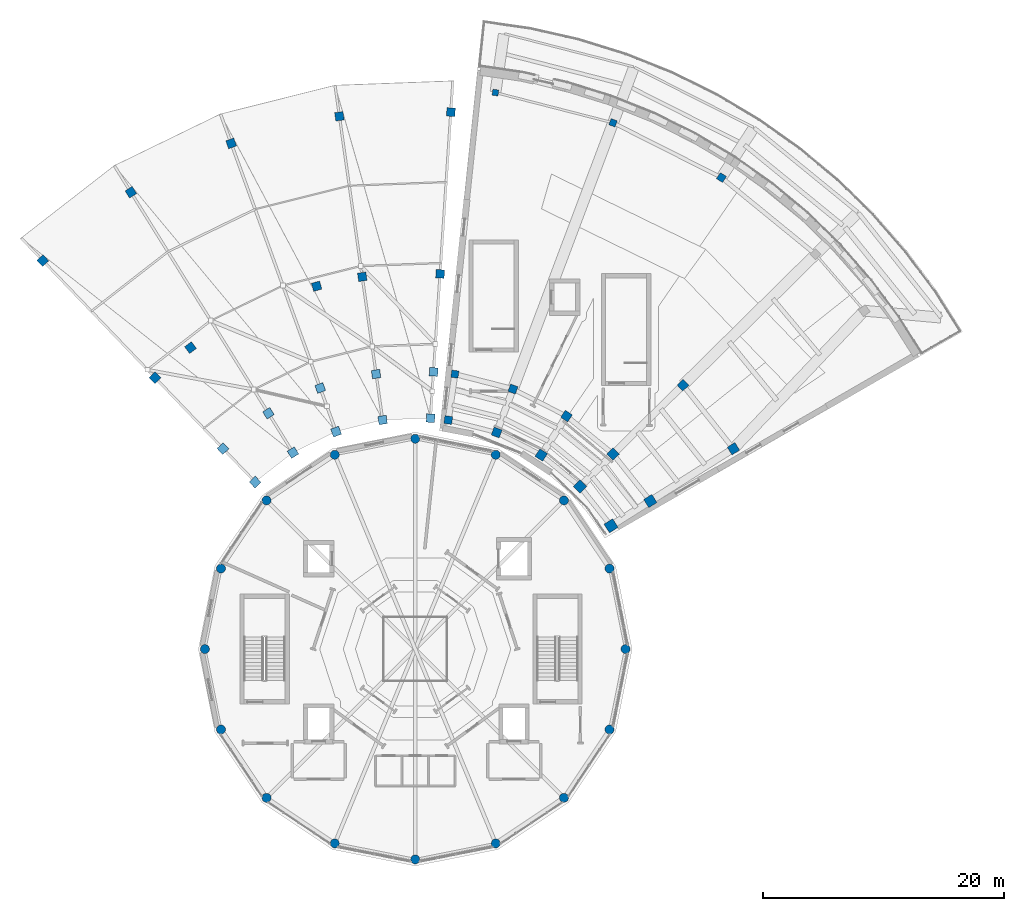
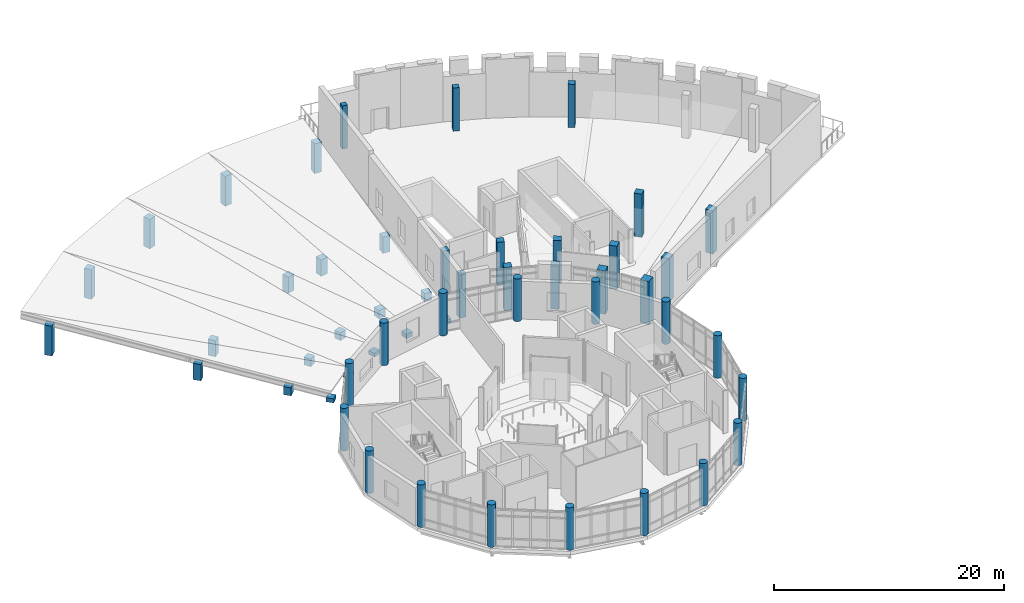
# One storey, part 1 of 27: 51 columns.
"""IFC4 building model written with IfcOpenShell, lengths in metres."""

from ifc_helpers import new_model, si_unit, direction, frame, origin, origin_2d, place, context, subcontext, project, spatial, rectangle, circle, extrude, material, material_profile, profile_set, type_object, element, save


model = new_model("IFC4")

# Units and contexts
model_context = context("Model", 3, precision=1e-05, world=origin(), true_north=direction((0.0, 1.0)))
body_context = subcontext(model_context, "Body", "Model", "MODEL_VIEW")
ifc_project = project(units=[si_unit("LENGTHUNIT", "METRE"), si_unit("AREAUNIT", "SQUARE_METRE"), si_unit("VOLUMEUNIT", "CUBIC_METRE"), si_unit("PLANEANGLEUNIT", "RADIAN"), si_unit("MASSUNIT", "GRAM", prefix="KILO")], contexts=[model_context])

# Site, building, storey
site_placement = place(None, origin())
site = spatial("IfcSite", under=ifc_project, at=site_placement, CompositionType="ELEMENT")
building_placement = place(site_placement, origin())
building = spatial("IfcBuilding", under=site, at=building_placement, Name="Soyqirgoq Riverine Aquarium", CompositionType="ELEMENT")
storey_placement = place(building_placement, frame((0.0, 0.0, 19.800048828125)))
storey = spatial("IfcBuildingStorey", under=building, at=storey_placement, Name="L05", CompositionType="ELEMENT", Elevation=19.800048828125)

# Columns
ifc_material_1 = material(Name="Concrete C40/50", Category="concrete")
ifc_material_profile_1 = material_profile(ifc_material_1, circle(Radius=0.375, at=origin_2d()), Name="RC-COL D750")
ifc_profile_set_1 = profile_set([ifc_material_profile_1], Name="Concrete C40/50")
column_type_1 = type_object("IfcColumnType", Name="Col_Circ_D750", PredefinedType="COLUMN", material=ifc_profile_set_1)
for number, where, z_axis, x_axis, name in (
    (1, (73.449951171875, 57.0, 0.0), (0.0, 0.0, 1.0), (1.0, 0.0, 0.0), "V1 Column V1-CO01 L05"),
    (2, (72.12158203125, 63.677734375, 0.0), (0.0, 0.0, 1.0), (0.923879532511, 0.382683432365, 0.0), "V1 Column V1-CO02 L05"),
    (3, (68.339111328125, 69.339111328125, 0.0), (0.0, 0.0, 1.0), (0.707106781187, 0.707106781187, 0.0), "V1 Column V1-CO03 L05"),
    (4, (62.677734375, 73.12158203125, 0.0), (0.0, 0.0, 1.0), (0.382683432365, 0.923879532511, 0.0), "V1 Column V1-CO04 L05"),
    (5, (56.0, 74.449951171875, 0.0), (0.0, 0.0, 1.0), (0.0, 1.0, 0.0), "V1 Column V1-CO05 L05"),
    (6, (49.322265625, 73.12158203125, 0.0), (0.0, 0.0, 1.0), (-0.382683432365, 0.923879532511, 0.0), "V1 Column V1-CO06 L05"),
    (7, (43.660888671875, 69.339111328125, 0.0), (0.0, 0.0, 1.0), (-0.707106781187, 0.707106781187, 0.0), "V1 Column V1-CO07 L05"),
    (8, (39.87841796875, 63.677734375, 0.0), (0.0, 0.0, 1.0), (-0.923879532511, 0.382683432365, 0.0), "V1 Column V1-CO08 L05"),
    (9, (38.550048828125, 57.0, 0.0), (0.0, 0.0, 1.0), (-1.0, 0.0, 0.0), "V1 Column V1-CO09 L05"),
    (10, (39.87841796875, 50.322265625, 0.0), (0.0, 0.0, 1.0), (-0.923879532511, -0.382683432365, 0.0), "V1 Column V1-CO10 L05"),
    (11, (43.660888671875, 44.660888671875, 0.0), (0.0, 0.0, 1.0), (-0.707106781187, -0.707106781187, 0.0), "V1 Column V1-CO11 L05"),
    (12, (49.322265625, 40.87841796875, 0.0), (0.0, 0.0, 1.0), (-0.382683432365, -0.923879532511, 0.0), "V1 Column V1-CO12 L05"),
    (13, (56.0, 39.550048828125, 0.0), (0.0, 0.0, 1.0), (0.0, -1.0, 0.0), "V1 Column V1-CO13 L05"),
    (14, (62.677734375, 40.87841796875, 0.0), (0.0, 0.0, 1.0), (0.382683432365, -0.923879532511, 0.0), "V1 Column V1-CO14 L05"),
    (15, (68.339111328125, 44.660888671875, 0.0), (0.0, 0.0, 1.0), (0.707106781187, -0.707106781187, 0.0), "V1 Column V1-CO15 L05"),
    (16, (72.12158203125, 50.322265625, 0.0), (0.0, 0.0, 1.0), (0.923879532511, -0.382683432365, 0.0), "V1 Column V1-CO16 L05"),
):
    element("IfcColumn", number, at=place(storey_placement, frame(where, z_axis=z_axis, x_axis=x_axis)), inside=storey, type_object=column_type_1, Name=name, PredefinedType="COLUMN", context=body_context, shape_type="SweptSolid", body=[
        extrude(circle(Radius=0.375, at=origin_2d()), origin(), (0.0, 0.0, 1.0), 4.5),
    ])
ifc_material_2 = material(Name="Concrete C40/50", Category="concrete")
ifc_material_profile_2 = material_profile(ifc_material_2, rectangle(XDim=0.5, YDim=0.5, at=origin_2d()), Name="RC 500x500")
ifc_profile_set_2 = profile_set([ifc_material_profile_2], Name="Concrete C40/50")
column_type_2 = type_object("IfcColumnType", Name="Col_RC_500x500", PredefinedType="COLUMN", material=ifc_profile_set_2)
column_1_placement = place(storey_placement, frame((62.653564453125, 103.173095703125, 0.0), z_axis=(0.0, 0.0, 1.0), x_axis=(0.142628933706, 0.989776230908, 0.0)))
element("IfcColumn", 17, at=column_1_placement, inside=storey, type_object=column_type_2, Name="V5 Column V5-CR4-05 L05", PredefinedType="COLUMN", context=body_context, shape_type="SweptSolid", body=[
    extrude(rectangle(XDim=0.5, YDim=0.5, at=origin_2d()), origin(), (0.0, 0.0, 1.0), 4.579833984375),
])
ifc_material_3 = material(Name="Concrete C40/50", Category="concrete")
ifc_material_profile_3 = material_profile(ifc_material_3, rectangle(XDim=0.550048828125, YDim=0.550048828125, at=origin_2d()), Name="RC 550x550")
ifc_profile_set_3 = profile_set([ifc_material_profile_3], Name="Concrete C40/50")
column_type_3 = type_object("IfcColumnType", Name="Col_RC_550x550", PredefinedType="COLUMN", material=ifc_profile_set_3)
column_2_placement = place(storey_placement, frame((72.413330078125, 100.667236328125, 0.0), z_axis=(0.0, 0.0, 1.0), x_axis=(0.351841648405, 0.936059535739, 0.0)))
element("IfcColumn", 18, at=column_2_placement, inside=storey, type_object=column_type_3, Name="V5 Column V5-CR4-04 L05", PredefinedType="COLUMN", context=body_context, shape_type="SweptSolid", body=[
    extrude(rectangle(XDim=0.550048828125, YDim=0.550048828125, at=origin_2d()), origin(), (0.0, 0.0, 1.0), 4.579833984375),
])
ifc_material_4 = material(Name="Concrete C40/50", Category="concrete")
ifc_material_profile_4 = material_profile(ifc_material_4, rectangle(XDim=0.60009765625, YDim=0.60009765625, at=origin_2d()), Name="RC 600x600")
ifc_profile_set_4 = profile_set([ifc_material_profile_4], Name="Concrete C40/50")
column_type_4 = type_object("IfcColumnType", Name="Col_RC_600x600", PredefinedType="COLUMN", material=ifc_profile_set_4)
for number, where, z_axis, x_axis, name in (
    (19, (81.407470703125, 96.1240234375, 0.0), (0.0, 0.0, 1.0), (0.544639035015, 0.838670567945, 0.0), "V5 Column V5-CR4-03 L05"),
    (20, (59.28759765625, 79.814208984375, 0.0), (0.0, 0.0, 1.0), (0.142628933706, 0.989776230908, 0.0), "V5 Column V5-CR2-05 L05"),
):
    element("IfcColumn", number, at=place(storey_placement, frame(where, z_axis=z_axis, x_axis=x_axis)), inside=storey, type_object=column_type_4, Name=name, PredefinedType="COLUMN", context=body_context, shape_type="SweptSolid", body=[
        extrude(rectangle(XDim=0.60009765625, YDim=0.60009765625, at=origin_2d()), origin(), (0.0, 0.0, 1.0), 4.579833984375),
    ])
ifc_material_5 = material(Name="Concrete C40/50", Category="concrete")
ifc_material_profile_5 = material_profile(ifc_material_5, rectangle(XDim=0.64990234375, YDim=0.64990234375, at=origin_2d()), Name="RC 650x650")
ifc_profile_set_5 = profile_set([ifc_material_profile_5], Name="Concrete C40/50")
column_type_5 = type_object("IfcColumnType", Name="Col_RC_650x650", PredefinedType="COLUMN", material=ifc_profile_set_5)
for number, where, z_axis, x_axis, name in (
    (21, (64.10986328125, 78.576171875, 0.0), (0.0, 0.0, 1.0), (0.351841648405, 0.936059535739, 0.0), "V5 Column V5-CR2-04 L05"),
    (22, (58.738525390625, 76.003662109375, 0.0), (0.0, 0.0, 1.0), (0.142628933706, 0.989776230908, 0.0), "V5 Column V5-CR1-05 L05"),
):
    element("IfcColumn", number, at=place(storey_placement, frame(where, z_axis=z_axis, x_axis=x_axis)), inside=storey, type_object=column_type_5, Name=name, PredefinedType="COLUMN", context=body_context, shape_type="SweptSolid", body=[
        extrude(rectangle(XDim=0.64990234375, YDim=0.64990234375, at=origin_2d()), origin(), (0.0, 0.0, 1.0), 4.579833984375),
    ])
ifc_material_6 = material(Name="Concrete C40/50", Category="concrete")
ifc_material_profile_6 = material_profile(ifc_material_6, rectangle(XDim=0.699951171875, YDim=0.699951171875, at=origin_2d()), Name="RC 700x700")
ifc_profile_set_6 = profile_set([ifc_material_profile_6], Name="Concrete C40/50")
column_type_6 = type_object("IfcColumnType", Name="Col_RC_700x700", PredefinedType="COLUMN", material=ifc_profile_set_6)
for number, where, z_axis, x_axis, name in (
    (23, (78.215087890625, 78.9072265625, 0.0), (0.0, 0.0, 1.0), (0.712026045991, 0.702153052995, 0.0), "V5 Column V5-CR3-02 L05"),
    (24, (68.553955078125, 76.331298828125, 0.0), (0.0, 0.0, 1.0), (0.544639035015, 0.838670567945, 0.0), "V5 Column V5-CR2-03 L05"),
    (25, (62.75537109375, 74.972412109375, 0.0), (0.0, 0.0, 1.0), (0.351841648405, 0.936059535739, 0.0), "V5 Column V5-CR1-04 L05"),
):
    element("IfcColumn", number, at=place(storey_placement, frame(where, z_axis=z_axis, x_axis=x_axis)), inside=storey, type_object=column_type_6, Name=name, PredefinedType="COLUMN", context=body_context, shape_type="SweptSolid", body=[
        extrude(rectangle(XDim=0.699951171875, YDim=0.699951171875, at=origin_2d()), origin(), (0.0, 0.0, 1.0), 4.579833984375),
    ])
column_3_placement = place(storey_placement, frame((57.2724609375, 76.15771484375, -0.219970703125), z_axis=(0.0, 0.0, 1.0), x_axis=(0.0662739004, 0.997801468292, 0.0)))
element("IfcColumn", 26, at=column_3_placement, inside=storey, type_object=column_type_6, Name="V4 Prairie Roof Inner Column Post 01", PredefinedType="COLUMN", context=body_context, shape_type="SweptSolid", body=[
    extrude(rectangle(XDim=0.699951171875, YDim=0.699951171875, at=origin_2d()), origin(), (0.0, 0.0, 1.0), 0.433349609375),
])
column_4_placement = place(storey_placement, frame((58.958984375, 101.5517578125, -0.219970703125), z_axis=(0.0, 0.0, 1.0), x_axis=(0.0662739004, 0.997801468292, 0.0)))
element("IfcColumn", 27, at=column_4_placement, inside=storey, type_object=column_type_6, Name="V4 Prairie Roof Outer Column Post 01", PredefinedType="COLUMN", context=body_context, shape_type="SweptSolid", body=[
    extrude(rectangle(XDim=0.699951171875, YDim=0.699951171875, at=origin_2d()), origin(), (0.0, 0.0, 1.0), 3.152587890625),
])
column_5_placement = place(storey_placement, frame((57.527587890625, 79.999267578125, -0.219970703125), z_axis=(0.0, 0.0, 1.0), x_axis=(0.0662739004, 0.997801468292, 0.0)))
element("IfcColumn", 28, at=column_5_placement, inside=storey, type_object=column_type_6, Name="V4 Prairie Roof Mid Column Post R2-01", PredefinedType="COLUMN", context=body_context, shape_type="SweptSolid", body=[
    extrude(rectangle(XDim=0.699951171875, YDim=0.699951171875, at=origin_2d()), origin(), (0.0, 0.0, 1.0), 0.8447265625),
])
column_6_placement = place(storey_placement, frame((58.067626953125, 88.13134765625, -0.219970703125), z_axis=(0.0, 0.0, 1.0), x_axis=(0.0662739004, 0.997801468292, 0.0)))
element("IfcColumn", 29, at=column_6_placement, inside=storey, type_object=column_type_6, Name="V4 Prairie Roof Mid Column Post R3-01", PredefinedType="COLUMN", context=body_context, shape_type="SweptSolid", body=[
    extrude(rectangle(XDim=0.699951171875, YDim=0.699951171875, at=origin_2d()), origin(), (0.0, 0.0, 1.0), 1.715576171875),
])
column_7_placement = place(storey_placement, frame((53.294677734375, 76.008544921875, -0.219970703125), z_axis=(0.0, 0.0, 1.0), x_axis=(-0.140901231938, 0.990023657717, 0.0)))
element("IfcColumn", 30, at=column_7_placement, inside=storey, type_object=column_type_6, Name="V4 Prairie Roof Inner Column Post 02", PredefinedType="COLUMN", context=body_context, shape_type="SweptSolid", body=[
    extrude(rectangle(XDim=0.699951171875, YDim=0.699951171875, at=origin_2d()), origin(), (0.0, 0.0, 1.0), 0.45849609375),
])
column_8_placement = place(storey_placement, frame((49.708740234375, 101.20458984375, -0.219970703125), z_axis=(0.0, 0.0, 1.0), x_axis=(-0.140901231938, 0.990023657717, 0.0)))
element("IfcColumn", 31, at=column_8_placement, inside=storey, type_object=column_type_6, Name="V4 Prairie Roof Outer Column Post 02", PredefinedType="COLUMN", context=body_context, shape_type="SweptSolid", body=[
    extrude(rectangle(XDim=0.699951171875, YDim=0.699951171875, at=origin_2d()), origin(), (0.0, 0.0, 1.0), 3.177734375),
])
column_9_placement = place(storey_placement, frame((52.752197265625, 79.820068359375, -0.219970703125), z_axis=(0.0, 0.0, 1.0), x_axis=(-0.140901231938, 0.990023657717, 0.0)))
element("IfcColumn", 32, at=column_9_placement, inside=storey, type_object=column_type_6, Name="V4 Prairie Roof Mid Column Post R2-02", PredefinedType="COLUMN", context=body_context, shape_type="SweptSolid", body=[
    extrude(rectangle(XDim=0.699951171875, YDim=0.699951171875, at=origin_2d()), origin(), (0.0, 0.0, 1.0), 0.869873046875),
])
column_10_placement = place(storey_placement, frame((51.60400390625, 87.888671875, -0.219970703125), z_axis=(0.0, 0.0, 1.0), x_axis=(-0.140901231938, 0.990023657717, 0.0)))
element("IfcColumn", 33, at=column_10_placement, inside=storey, type_object=column_type_6, Name="V4 Prairie Roof Mid Column Post R3-02", PredefinedType="COLUMN", context=body_context, shape_type="SweptSolid", body=[
    extrude(rectangle(XDim=0.699951171875, YDim=0.699951171875, at=origin_2d()), origin(), (0.0, 0.0, 1.0), 1.74072265625),
])
column_11_placement = place(storey_placement, frame((49.43310546875, 75.0419921875, -0.219970703125), z_axis=(0.0, 0.0, 1.0), x_axis=(-0.342020143326, 0.939692620786, 0.0)))
element("IfcColumn", 34, at=column_11_placement, inside=storey, type_object=column_type_6, Name="V4 Prairie Roof Inner Column Post 03", PredefinedType="COLUMN", context=body_context, shape_type="SweptSolid", body=[
    extrude(rectangle(XDim=0.699951171875, YDim=0.699951171875, at=origin_2d()), origin(), (0.0, 0.0, 1.0), 0.4033203125),
])
column_12_placement = place(storey_placement, frame((40.728759765625, 98.957275390625, -0.219970703125), z_axis=(0.0, 0.0, 1.0), x_axis=(-0.342020143326, 0.939692620786, 0.0)))
element("IfcColumn", 35, at=column_12_placement, inside=storey, type_object=column_type_6, Name="V4 Prairie Roof Outer Column Post 03", PredefinedType="COLUMN", context=body_context, shape_type="SweptSolid", body=[
    extrude(rectangle(XDim=0.699951171875, YDim=0.699951171875, at=origin_2d()), origin(), (0.0, 0.0, 1.0), 3.12255859375),
])
column_13_placement = place(storey_placement, frame((48.116455078125, 78.659912109375, -0.219970703125), z_axis=(0.0, 0.0, 1.0), x_axis=(-0.342020143326, 0.939692620786, 0.0)))
element("IfcColumn", 36, at=column_13_placement, inside=storey, type_object=column_type_6, Name="V4 Prairie Roof Mid Column Post R2-03", PredefinedType="COLUMN", context=body_context, shape_type="SweptSolid", body=[
    extrude(rectangle(XDim=0.699951171875, YDim=0.699951171875, at=origin_2d()), origin(), (0.0, 0.0, 1.0), 0.81494140625),
])
column_14_placement = place(storey_placement, frame((47.819580078125, 87.1083984375, -0.219970703125), z_axis=(0.0, 0.0, 1.0), x_axis=(-0.262189178641, 0.965016494472, 0.0)))
element("IfcColumn", 37, at=column_14_placement, inside=storey, type_object=column_type_6, Name="V4 Prairie Roof Mid Column Post R3-03", PredefinedType="COLUMN", context=body_context, shape_type="SweptSolid", body=[
    extrude(rectangle(XDim=0.699951171875, YDim=0.699951171875, at=origin_2d()), origin(), (0.0, 0.0, 1.0), 1.7041015625),
])
column_15_placement = place(storey_placement, frame((45.85400390625, 73.30029296875, -0.219970703125), z_axis=(0.0, 0.0, 1.0), x_axis=(-0.528438334722, 0.848971687629, 0.0)))
element("IfcColumn", 38, at=column_15_placement, inside=storey, type_object=column_type_6, Name="V4 Prairie Roof Inner Column Post 04", PredefinedType="COLUMN", context=body_context, shape_type="SweptSolid", body=[
    extrude(rectangle(XDim=0.699951171875, YDim=0.699951171875, at=origin_2d()), origin(), (0.0, 0.0, 1.0), 0.408203125),
])
column_16_placement = place(storey_placement, frame((32.4052734375, 94.906494140625, -0.219970703125), z_axis=(0.0, 0.0, 1.0), x_axis=(-0.528438334722, 0.848971687629, 0.0)))
element("IfcColumn", 39, at=column_16_placement, inside=storey, type_object=column_type_6, Name="V4 Prairie Roof Outer Column Post 04", PredefinedType="COLUMN", context=body_context, shape_type="SweptSolid", body=[
    extrude(rectangle(XDim=0.699951171875, YDim=0.699951171875, at=origin_2d()), origin(), (0.0, 0.0, 1.0), 3.127685546875),
])
column_17_placement = place(storey_placement, frame((43.819580078125, 76.56884765625, -0.219970703125), z_axis=(0.0, 0.0, 1.0), x_axis=(-0.528438334722, 0.848971687629, 0.0)))
element("IfcColumn", 40, at=column_17_placement, inside=storey, type_object=column_type_6, Name="V4 Prairie Roof Mid Column Post R2-04", PredefinedType="COLUMN", context=body_context, shape_type="SweptSolid", body=[
    extrude(rectangle(XDim=0.699951171875, YDim=0.699951171875, at=origin_2d()), origin(), (0.0, 0.0, 1.0), 0.81982421875),
])
column_18_placement = place(storey_placement, frame((37.35400390625, 82.015380859375, -0.219970703125), z_axis=(0.0, 0.0, 1.0), x_axis=(-0.597625146976, 0.801775644244, 0.0)))
element("IfcColumn", 41, at=column_18_placement, inside=storey, type_object=column_type_6, Name="V4 Prairie Roof Mid Column Post R3-04", PredefinedType="COLUMN", context=body_context, shape_type="SweptSolid", body=[
    extrude(rectangle(XDim=0.699951171875, YDim=0.699951171875, at=origin_2d()), origin(), (0.0, 0.0, 1.0), 1.709228515625),
])
column_19_placement = place(storey_placement, frame((42.7109375, 70.85791015625, -0.219970703125), z_axis=(0.0, 0.0, 1.0), x_axis=(-0.69214317387, 0.721760228098, 0.0)))
element("IfcColumn", 42, at=column_19_placement, inside=storey, type_object=column_type_6, Name="V4 Prairie Roof Inner Column Post 05", PredefinedType="COLUMN", context=body_context, shape_type="SweptSolid", body=[
    extrude(rectangle(XDim=0.699951171875, YDim=0.699951171875, at=origin_2d()), origin(), (0.0, 0.0, 1.0), 0.433349609375),
])
column_20_placement = place(storey_placement, frame((25.095703125, 89.2265625, -0.219970703125), z_axis=(0.0, 0.0, 1.0), x_axis=(-0.69214317387, 0.721760228098, 0.0)))
element("IfcColumn", 43, at=column_20_placement, inside=storey, type_object=column_type_6, Name="V4 Prairie Roof Outer Column Post 05", PredefinedType="COLUMN", context=body_context, shape_type="SweptSolid", body=[
    extrude(rectangle(XDim=0.699951171875, YDim=0.699951171875, at=origin_2d()), origin(), (0.0, 0.0, 1.0), 3.152587890625),
])
column_21_placement = place(storey_placement, frame((40.046142578125, 73.63671875, -0.219970703125), z_axis=(0.0, 0.0, 1.0), x_axis=(-0.69214317387, 0.721760228098, 0.0)))
element("IfcColumn", 44, at=column_21_placement, inside=storey, type_object=column_type_6, Name="V4 Prairie Roof Mid Column Post R2-05", PredefinedType="COLUMN", context=body_context, shape_type="SweptSolid", body=[
    extrude(rectangle(XDim=0.699951171875, YDim=0.699951171875, at=origin_2d()), origin(), (0.0, 0.0, 1.0), 0.8447265625),
])
column_22_placement = place(storey_placement, frame((34.405029296875, 79.518798828125, -0.219970703125), z_axis=(0.0, 0.0, 1.0), x_axis=(-0.69214317387, 0.721760228098, 0.0)))
element("IfcColumn", 45, at=column_22_placement, inside=storey, type_object=column_type_6, Name="V4 Prairie Roof Mid Column Post R3-05", PredefinedType="COLUMN", context=body_context, shape_type="SweptSolid", body=[
    extrude(rectangle(XDim=0.699951171875, YDim=0.699951171875, at=origin_2d()), origin(), (0.0, 0.0, 1.0), 1.715576171875),
])
ifc_material_7 = material(Name="Concrete C40/50", Category="concrete")
ifc_material_profile_7 = material_profile(ifc_material_7, rectangle(XDim=0.75, YDim=0.75, at=origin_2d()), Name="RC 750x750")
ifc_profile_set_7 = profile_set([ifc_material_profile_7], Name="Concrete C40/50")
column_type_7 = type_object("IfcColumnType", Name="Col_RC_750x750", PredefinedType="COLUMN", material=ifc_profile_set_7)
for number, where, z_axis, x_axis, name in (
    (46, (82.401123046875, 73.625732421875, 0.0), (0.0, 0.0, 1.0), (0.846193166128, 0.532876276071, 0.0), "V5 Column V5-CR3-01 L05"),
    (47, (72.412109375, 73.1845703125, 0.0), (0.0, 0.0, 1.0), (0.712026045991, 0.702153052995, 0.0), "V5 Column V5-CR2-02 L05"),
    (48, (66.45703125, 73.1025390625, 0.0), (0.0, 0.0, 1.0), (0.544639035015, 0.838670567945, 0.0), "V5 Column V5-CR1-03 L05"),
):
    element("IfcColumn", number, at=place(storey_placement, frame(where, z_axis=z_axis, x_axis=x_axis)), inside=storey, type_object=column_type_7, Name=name, PredefinedType="COLUMN", context=body_context, shape_type="SweptSolid", body=[
        extrude(rectangle(XDim=0.75, YDim=0.75, at=origin_2d()), origin(), (0.0, 0.0, 1.0), 4.579833984375),
    ])
ifc_material_8 = material(Name="Concrete C40/50", Category="concrete")
ifc_material_profile_8 = material_profile(ifc_material_8, rectangle(XDim=0.800048828125, YDim=0.800048828125, at=origin_2d()), Name="RC 800x800")
ifc_profile_set_8 = profile_set([ifc_material_profile_8], Name="Concrete C40/50")
column_type_8 = type_object("IfcColumnType", Name="Col_RC_800x800", PredefinedType="COLUMN", material=ifc_profile_set_8)
for number, where, z_axis, x_axis, name in (
    (49, (75.5048828125, 69.28271484375, 0.0), (0.0, 0.0, 1.0), (0.846193166128, 0.532876276071, 0.0), "V5 Column V5-CR2-01 L05"),
    (50, (69.6708984375, 70.481201171875, 0.0), (0.0, 0.0, 1.0), (0.712026045991, 0.702153052995, 0.0), "V5 Column V5-CR1-02 L05"),
):
    element("IfcColumn", number, at=place(storey_placement, frame(where, z_axis=z_axis, x_axis=x_axis)), inside=storey, type_object=column_type_8, Name=name, PredefinedType="COLUMN", context=body_context, shape_type="SweptSolid", body=[
        extrude(rectangle(XDim=0.800048828125, YDim=0.800048828125, at=origin_2d()), origin(), (0.0, 0.0, 1.0), 4.579833984375),
    ])
ifc_material_9 = material(Name="Concrete C40/50", Category="concrete")
ifc_material_profile_9 = material_profile(ifc_material_9, rectangle(XDim=0.85009765625, YDim=0.85009765625, at=origin_2d()), Name="RC 850x850")
ifc_profile_set_9 = profile_set([ifc_material_profile_9], Name="Concrete C40/50")
column_type_9 = type_object("IfcColumnType", Name="Col_RC_850x850", PredefinedType="COLUMN", material=ifc_profile_set_9)
column_23_placement = place(storey_placement, frame((72.246826171875, 67.231201171875, 0.0), z_axis=(0.0, 0.0, 1.0), x_axis=(0.846193166128, 0.532876276071, 0.0)))
element("IfcColumn", 51, at=column_23_placement, inside=storey, type_object=column_type_9, Name="V5 Column V5-CR1-01 L05", PredefinedType="COLUMN", context=body_context, shape_type="SweptSolid", body=[
    extrude(rectangle(XDim=0.85009765625, YDim=0.85009765625, at=origin_2d()), origin(), (0.0, 0.0, 1.0), 4.579833984375),
])

save(model, "model.ifc")
